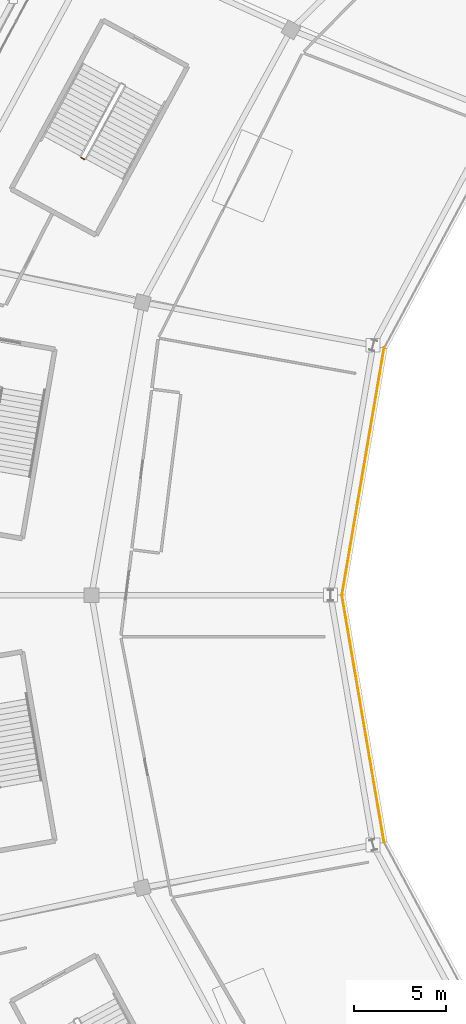
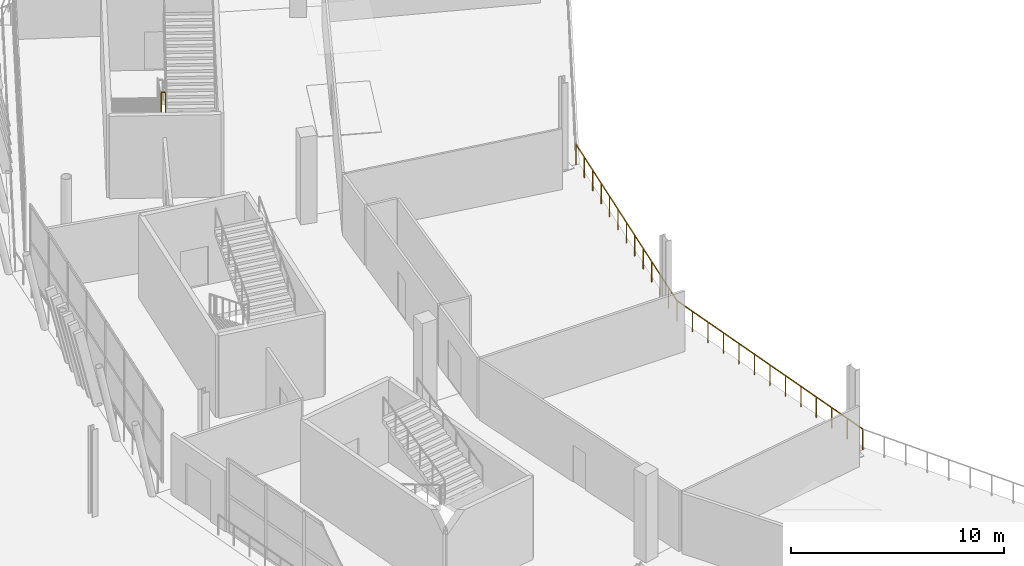
# One storey, part 156 of 179: 3 railings.
"""IFC4 building model written with IfcOpenShell, lengths in metres."""

from ifc_helpers import new_model, si_unit, direction, frame, origin, origin_2d, place, context, subcontext, project, spatial, rectangle, extrude, material, type_object, element, save


model = new_model("IFC4")

# Units and contexts
model_context = context("Model", 3, precision=1e-05, world=origin(), true_north=direction((0.0, 1.0)))
body_context = subcontext(model_context, "Body", "Model", "MODEL_VIEW")
ifc_project = project(units=[si_unit("LENGTHUNIT", "METRE"), si_unit("AREAUNIT", "SQUARE_METRE"), si_unit("VOLUMEUNIT", "CUBIC_METRE"), si_unit("PLANEANGLEUNIT", "RADIAN"), si_unit("MASSUNIT", "GRAM", prefix="KILO")], contexts=[model_context])

# Site, building, storey
site_placement = place(None, origin())
site = spatial("IfcSite", under=ifc_project, at=site_placement, CompositionType="ELEMENT")
building_placement = place(site_placement, origin())
building = spatial("IfcBuilding", under=site, at=building_placement, Name="Zlatoyarsky Gate Stadium", CompositionType="ELEMENT")
storey_placement = place(building_placement, frame((0.0, 0.0, 10.60009765625)))
storey = spatial("IfcBuildingStorey", under=building, at=storey_placement, Name="L02", CompositionType="ELEMENT", Elevation=10.60009765625)

# Railings
ifc_material_1 = material(Name="Powder-coated steel tubular guardrail", Category="steel")
railing_type_1 = type_object("IfcRailingType", Name="CONCOURSE SLAB EDGE GUARDRAIL 1200", PredefinedType="GUARDRAIL", material=ifc_material_1)
railing_1_placement = place(storey_placement, frame((45.916015625, 93.453369140625, 0.0)))
element("IfcRailing", 1, at=railing_1_placement, inside=storey, type_object=railing_type_1, Name="L02 inner bowl edge guardrail 11", PredefinedType="GUARDRAIL", context=body_context, shape_type="SweptSolid", body=[
    extrude(rectangle(XDim=0.048095703125, YDim=0.048095703125, at=origin_2d()), frame((0.0, 0.0, 1.17578125), z_axis=(-0.16822396726, -0.98574880007, 0.0), x_axis=(0.98574880007, -0.16822396726, 0.0)), (0.0, 0.0, 1.0), 13.64794921875),
    extrude(rectangle(XDim=0.0419921875, YDim=0.0419921875, at=origin_2d()), origin(), (0.0, 0.0, 1.0), 1.15185546875),
    extrude(rectangle(XDim=0.0419921875, YDim=0.0419921875, at=origin_2d()), frame((-0.19140625, -1.12109375, 0.0)), (0.0, 0.0, 1.0), 1.15185546875),
    extrude(rectangle(XDim=0.0419921875, YDim=0.0419921875, at=origin_2d()), frame((-0.382568359375, -2.2421875, 0.0)), (0.0, 0.0, 1.0), 1.15185546875),
    extrude(rectangle(XDim=0.0419921875, YDim=0.0419921875, at=origin_2d()), frame((-0.573974609375, -3.36328125, 0.0)), (0.0, 0.0, 1.0), 1.15185546875),
    extrude(rectangle(XDim=0.0419921875, YDim=0.0419921875, at=origin_2d()), frame((-0.765380859375, -4.484375, 0.0)), (0.0, 0.0, 1.0), 1.15185546875),
    extrude(rectangle(XDim=0.0419921875, YDim=0.0419921875, at=origin_2d()), frame((-0.95654296875, -5.60546875, 0.0)), (0.0, 0.0, 1.0), 1.15185546875),
    extrude(rectangle(XDim=0.0419921875, YDim=0.0419921875, at=origin_2d()), frame((-1.14794921875, -6.7265625, 0.0)), (0.0, 0.0, 1.0), 1.15185546875),
    extrude(rectangle(XDim=0.0419921875, YDim=0.0419921875, at=origin_2d()), frame((-1.33935546875, -7.847900390625, 0.0)), (0.0, 0.0, 1.0), 1.15185546875),
    extrude(rectangle(XDim=0.0419921875, YDim=0.0419921875, at=origin_2d()), frame((-1.530517578125, -8.968994140625, 0.0)), (0.0, 0.0, 1.0), 1.15185546875),
    extrude(rectangle(XDim=0.0419921875, YDim=0.0419921875, at=origin_2d()), frame((-1.721923828125, -10.090087890625, 0.0)), (0.0, 0.0, 1.0), 1.15185546875),
    extrude(rectangle(XDim=0.0419921875, YDim=0.0419921875, at=origin_2d()), frame((-1.913330078125, -11.211181640625, 0.0)), (0.0, 0.0, 1.0), 1.15185546875),
    extrude(rectangle(XDim=0.0419921875, YDim=0.0419921875, at=origin_2d()), frame((-2.1044921875, -12.332275390625, 0.0)), (0.0, 0.0, 1.0), 1.15185546875),
    extrude(rectangle(XDim=0.0419921875, YDim=0.0419921875, at=origin_2d()), frame((-2.2958984375, -13.453369140625, 0.0)), (0.0, 0.0, 1.0), 1.15185546875),
])
railing_2_placement = place(storey_placement, frame((43.6201171875, 80.0, 0.0)))
element("IfcRailing", 2, at=railing_2_placement, inside=storey, type_object=railing_type_1, Name="L02 inner bowl edge guardrail 12", PredefinedType="GUARDRAIL", context=body_context, shape_type="SweptSolid", body=[
    extrude(rectangle(XDim=0.048095703125, YDim=0.048095703125, at=origin_2d()), frame((0.0, 0.0, 1.17578125), z_axis=(0.16822396726, -0.98574880007, 0.0), x_axis=(0.98574880007, 0.16822396726, 0.0)), (0.0, 0.0, 1.0), 13.64794921875),
    extrude(rectangle(XDim=0.0419921875, YDim=0.0419921875, at=origin_2d()), origin(), (0.0, 0.0, 1.0), 1.15185546875),
    extrude(rectangle(XDim=0.0419921875, YDim=0.0419921875, at=origin_2d()), frame((0.19140625, -1.12109375, 0.0)), (0.0, 0.0, 1.0), 1.15185546875),
    extrude(rectangle(XDim=0.0419921875, YDim=0.0419921875, at=origin_2d()), frame((0.382568359375, -2.2421875, 0.0)), (0.0, 0.0, 1.0), 1.15185546875),
    extrude(rectangle(XDim=0.0419921875, YDim=0.0419921875, at=origin_2d()), frame((0.573974609375, -3.36328125, 0.0)), (0.0, 0.0, 1.0), 1.15185546875),
    extrude(rectangle(XDim=0.0419921875, YDim=0.0419921875, at=origin_2d()), frame((0.765380859375, -4.484375, 0.0)), (0.0, 0.0, 1.0), 1.15185546875),
    extrude(rectangle(XDim=0.0419921875, YDim=0.0419921875, at=origin_2d()), frame((0.95654296875, -5.60546875, 0.0)), (0.0, 0.0, 1.0), 1.15185546875),
    extrude(rectangle(XDim=0.0419921875, YDim=0.0419921875, at=origin_2d()), frame((1.14794921875, -6.7265625, 0.0)), (0.0, 0.0, 1.0), 1.15185546875),
    extrude(rectangle(XDim=0.0419921875, YDim=0.0419921875, at=origin_2d()), frame((1.33935546875, -7.847900390625, 0.0)), (0.0, 0.0, 1.0), 1.15185546875),
    extrude(rectangle(XDim=0.0419921875, YDim=0.0419921875, at=origin_2d()), frame((1.530517578125, -8.968994140625, 0.0)), (0.0, 0.0, 1.0), 1.15185546875),
    extrude(rectangle(XDim=0.0419921875, YDim=0.0419921875, at=origin_2d()), frame((1.721923828125, -10.090087890625, 0.0)), (0.0, 0.0, 1.0), 1.15185546875),
    extrude(rectangle(XDim=0.0419921875, YDim=0.0419921875, at=origin_2d()), frame((1.913330078125, -11.211181640625, 0.0)), (0.0, 0.0, 1.0), 1.15185546875),
    extrude(rectangle(XDim=0.0419921875, YDim=0.0419921875, at=origin_2d()), frame((2.1044921875, -12.332275390625, 0.0)), (0.0, 0.0, 1.0), 1.15185546875),
    extrude(rectangle(XDim=0.0419921875, YDim=0.0419921875, at=origin_2d()), frame((2.2958984375, -13.453369140625, 0.0)), (0.0, 0.0, 1.0), 1.15185546875),
])
ifc_material_2 = material(Name="Powder-coated steel stair guardrail", Category="steel")
railing_type_2 = type_object("IfcRailingType", Name="PAINTED STEEL STAIR WELL GUARDRAIL 1150", PredefinedType="GUARDRAIL", material=ifc_material_2)
railing_3_placement = place(storey_placement, frame((29.436767578125, 103.802001953125, 2.5)))
element("IfcRailing", 3, at=railing_3_placement, inside=storey, type_object=railing_type_2, Name="ST-06 L02 stair guard 2", PredefinedType="GUARDRAIL", context=body_context, shape_type="SweptSolid", body=[
    extrude(rectangle(XDim=0.048095703125, YDim=0.048095703125, at=origin_2d()), frame((0.0, 0.0, 1.1259765625), z_axis=(0.878780312785, -0.477226530971, 0.0), x_axis=(0.477226530971, 0.878780312785, 0.0)), (0.0, 0.0, 1.0), 0.199951171875),
    extrude(rectangle(XDim=0.0419921875, YDim=0.0419921875, at=origin_2d()), origin(), (0.0, 0.0, 1.0), 1.101806640625),
    extrude(rectangle(XDim=0.0419921875, YDim=0.0419921875, at=origin_2d()), frame((0.17578125, -0.095458984375, 0.0)), (0.0, 0.0, 1.0), 1.101806640625),
])

save(model, "model.ifc")
